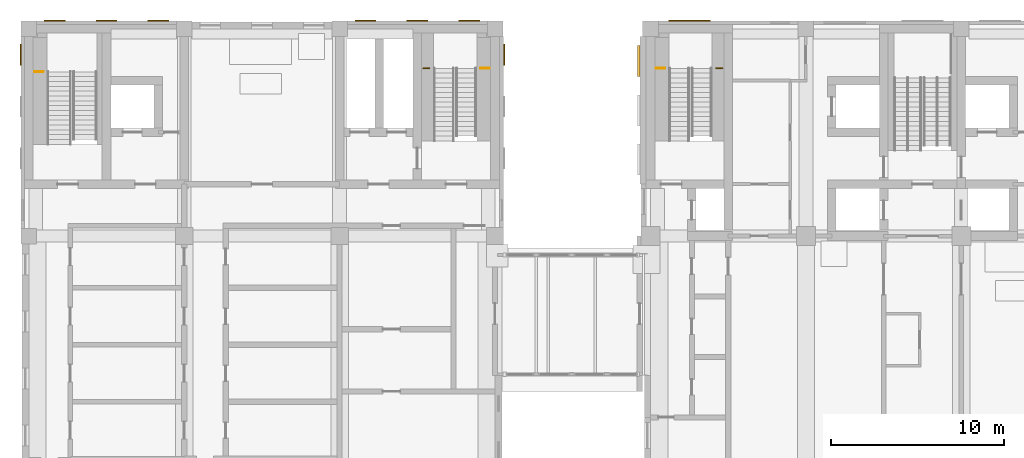
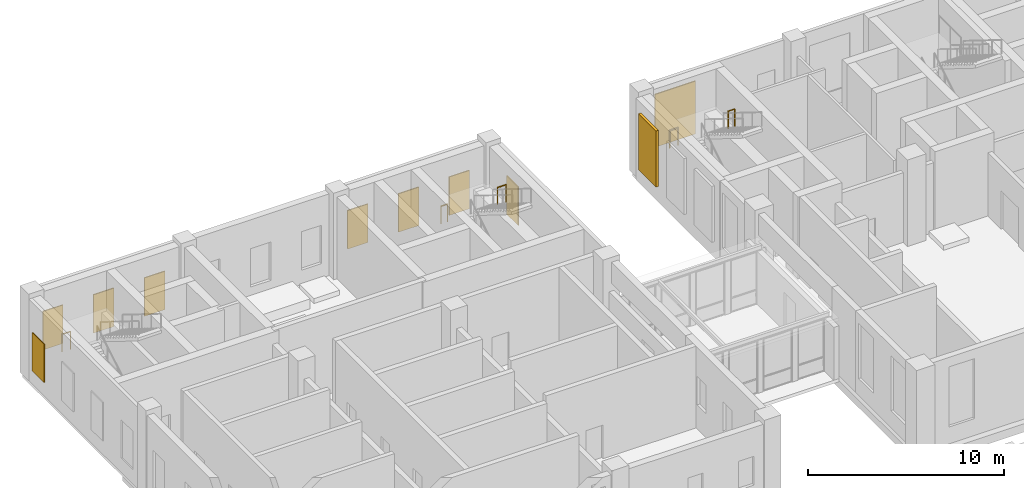
# One storey, part 51 of 52: 10 coverings, 5 railings.
"""IFC4 building model written with IfcOpenShell, lengths in metres."""

from ifc_helpers import new_model, si_unit, direction, frame, origin, origin_2d, place, context, subcontext, project, spatial, rectangle, circle, extrude, material, layer, layer_set, type_object, element, save


model = new_model("IFC4")

# Units and contexts
model_context = context("Model", 3, precision=1e-05, world=origin(), true_north=direction((0.0, 1.0)))
body_context = subcontext(model_context, "Body", "Model", "MODEL_VIEW")
ifc_project = project(units=[si_unit("LENGTHUNIT", "METRE"), si_unit("AREAUNIT", "SQUARE_METRE"), si_unit("VOLUMEUNIT", "CUBIC_METRE"), si_unit("PLANEANGLEUNIT", "RADIAN"), si_unit("MASSUNIT", "GRAM", prefix="KILO")], contexts=[model_context])

# Site, building, storey
site_placement = place(None, origin())
site = spatial("IfcSite", under=ifc_project, at=site_placement, CompositionType="ELEMENT")
building_placement = place(site_placement, origin())
building = spatial("IfcBuilding", under=site, at=building_placement, Name="Aurelan Courthouse", CompositionType="ELEMENT")
storey_placement = place(building_placement, frame((0.0, 0.0, 6.60009765625)))
storey = spatial("IfcBuildingStorey", under=building, at=storey_placement, Name="L01", CompositionType="ELEMENT", Elevation=6.60009765625)

# Coverings
ifc_material_1 = material(Name="Bronze sheet cladding")
ifc_layer_1 = layer(ifc_material_1, 0.06005859375)
ifc_layer_set_1 = layer_set([ifc_layer_1], Name="Bronze sheet cladding")
covering_type_1 = type_object("IfcCoveringType", Name="Courtroom Block blind bay 2400 x 3300", PredefinedType="CLADDING", material=ifc_layer_set_1)
covering_1_placement = place(storey_placement, frame((38.25, 66.47998046875, 0.89990234375), z_axis=(0.0, 0.0, 1.0), x_axis=(1.0, 0.0, 0.0)))
element("IfcCovering", 1, at=covering_1_placement, inside=storey, type_object=covering_type_1, Name="Blind bay BB-V2-L01-001", PredefinedType="CLADDING", context=body_context, shape_type="SweptSolid", body=[
    extrude(rectangle(XDim=2.39990234375, YDim=0.06005859375, at=origin_2d()), origin(), (0.0, 0.0, 1.0), 3.300048828125),
])
ifc_layer_2 = layer(ifc_material_1, 0.06005859375)
ifc_layer_set_2 = layer_set([ifc_layer_2], Name="Bronze sheet cladding")
covering_type_2 = type_object("IfcCoveringType", Name="Custody Suite blind bay 1200 x 2400", PredefinedType="CLADDING", material=ifc_layer_set_2)
for number, where, z_axis, x_axis, name in (
    (2, (1.5, 66.47998046875, 0.89990234375), (0.0, 0.0, 1.0), (1.0, 0.0, 0.0), "Blind bay BB-V6-L01-002"),
    (3, (4.5, 66.47998046875, 0.89990234375), (0.0, 0.0, 1.0), (1.0, 0.0, 0.0), "Blind bay BB-V6-L01-003"),
    (4, (7.5, 66.47998046875, 0.89990234375), (0.0, 0.0, 1.0), (1.0, 0.0, 0.0), "Blind bay BB-V6-L01-004"),
    (5, (19.5, 66.47998046875, 0.89990234375), (0.0, 0.0, 1.0), (1.0, 0.0, 0.0), "Blind bay BB-V6-L01-005"),
    (6, (22.5, 66.47998046875, 0.89990234375), (0.0, 0.0, 1.0), (1.0, 0.0, 0.0), "Blind bay BB-V6-L01-006"),
    (7, (25.5, 66.47998046875, 0.89990234375), (0.0, 0.0, 1.0), (1.0, 0.0, 0.0), "Blind bay BB-V6-L01-007"),
):
    element("IfcCovering", number, at=place(storey_placement, frame(where, z_axis=z_axis, x_axis=x_axis)), inside=storey, type_object=covering_type_2, Name=name, PredefinedType="CLADDING", context=body_context, shape_type="SweptSolid", body=[
        extrude(rectangle(XDim=1.199951171875, YDim=0.06005859375, at=origin_2d()), origin(), (0.0, 0.0, 1.0), 2.39990234375),
    ])
for number, where, z_axis, x_axis, name in (
    (8, (27.530029296875, 64.5, 0.89990234375), (0.0, 0.0, 1.0), (1.0, 0.0, 0.0), "Blind bay BB-V6-L01-010"),
    (9, (-0.47998046875, 64.5, 0.89990234375), (0.0, 0.0, 1.0), (1.0, 0.0, 0.0), "Blind bay BB-V6-L01-013"),
):
    element("IfcCovering", number, at=place(storey_placement, frame(where, z_axis=z_axis, x_axis=x_axis)), inside=storey, type_object=covering_type_2, Name=name, PredefinedType="CLADDING", context=body_context, shape_type="SweptSolid", body=[
        extrude(rectangle(XDim=0.06005859375, YDim=1.199951171875, at=origin_2d()), origin(), (0.0, 0.0, 1.0), 2.39990234375),
    ])
ifc_layer_3 = layer(ifc_material_1, 0.14990234375)
ifc_layer_set_3 = layer_set([ifc_layer_3], Name="Bronze sheet cladding")
covering_type_3 = type_object("IfcCoveringType", Name="Relief panel 1800 x 3500 x 150", PredefinedType="CLADDING", material=ifc_layer_set_3)
covering_2_placement = place(storey_placement, frame((35.324951171875, 64.125, 1.0), z_axis=(0.0, 0.0, 1.0), x_axis=(1.0, 0.0, 0.0)))
element("IfcCovering", 10, at=covering_2_placement, inside=storey, type_object=covering_type_3, Name="Relief panel RP-V2-008", PredefinedType="CLADDING", context=body_context, shape_type="SweptSolid", body=[
    extrude(rectangle(XDim=0.14990234375, YDim=1.800048828125, at=origin_2d()), origin(), (0.0, 0.0, 1.0), 3.5),
])

# Railings
ifc_material_2 = material(Name="Steel S355", Category="steel")
railing_type = type_object("IfcRailingType", Name="Stair guard 1100", PredefinedType="GUARDRAIL", material=ifc_material_2)
railing_placement = place(storey_placement, frame((36.830078125, 63.7099609375, 2.787109375)))
element("IfcRailing", 11, at=railing_placement, inside=storey, type_object=railing_type, Name="Guard CS-2-L01-GL1", PredefinedType="GUARDRAIL", context=body_context, shape_type="SweptSolid", body=[
    extrude(circle(Radius=0.02392578125, at=origin_2d()), frame((0.0, 0.0, 1.076171875), z_axis=(-1.0, 0.0, 0.0), x_axis=(0.0, -1.0, 0.0)), (0.0, 0.0, 1.0), 0.5),
    extrude(circle(Radius=0.02099609375, at=origin_2d()), origin(), (0.0, 0.0, 1.0), 1.052001953125),
    extrude(circle(Radius=0.02099609375, at=origin_2d()), frame((-0.5, 0.0, 0.0)), (0.0, 0.0, 1.0), 1.052001953125),
])
for number, where, name in (
    (12, (40.169921875, 63.7099609375, 2.787109375), "Guard CS-2-L01-GL2"),
    (13, (23.2099609375, 63.7099609375, 2.787109375), "Guard CS-6-L01-GL1"),
):
    element("IfcRailing", number, at=place(storey_placement, frame(where)), inside=storey, type_object=railing_type, Name=name, PredefinedType="GUARDRAIL", context=body_context, shape_type="SweptSolid", body=[
        extrude(circle(Radius=0.02392578125, at=origin_2d()), frame((0.0, 0.0, 1.076171875), z_axis=(-1.0, 0.0, 0.0), x_axis=(0.0, -1.0, 0.0)), (0.0, 0.0, 1.0), 0.3798828125),
        extrude(circle(Radius=0.02099609375, at=origin_2d()), origin(), (0.0, 0.0, 1.0), 1.052001953125),
        extrude(circle(Radius=0.02099609375, at=origin_2d()), frame((-0.3798828125, 0.0, 0.0)), (0.0, 0.0, 1.0), 1.052001953125),
    ])
for number, where, name in (
    (14, (26.669921875, 63.7099609375, 2.787109375), "Guard CS-6-L01-GL2"),
    (15, (0.830078125, 63.510009765625, 2.787109375), "Guard ST-6-L01-GL1"),
):
    element("IfcRailing", number, at=place(storey_placement, frame(where)), inside=storey, type_object=railing_type, Name=name, PredefinedType="GUARDRAIL", context=body_context, shape_type="SweptSolid", body=[
        extrude(circle(Radius=0.02392578125, at=origin_2d()), frame((0.0, 0.0, 1.076171875), z_axis=(-1.0, 0.0, 0.0), x_axis=(0.0, -1.0, 0.0)), (0.0, 0.0, 1.0), 0.5),
        extrude(circle(Radius=0.02099609375, at=origin_2d()), origin(), (0.0, 0.0, 1.0), 1.052001953125),
        extrude(circle(Radius=0.02099609375, at=origin_2d()), frame((-0.5, 0.0, 0.0)), (0.0, 0.0, 1.0), 1.052001953125),
    ])

save(model, "model.ifc")
